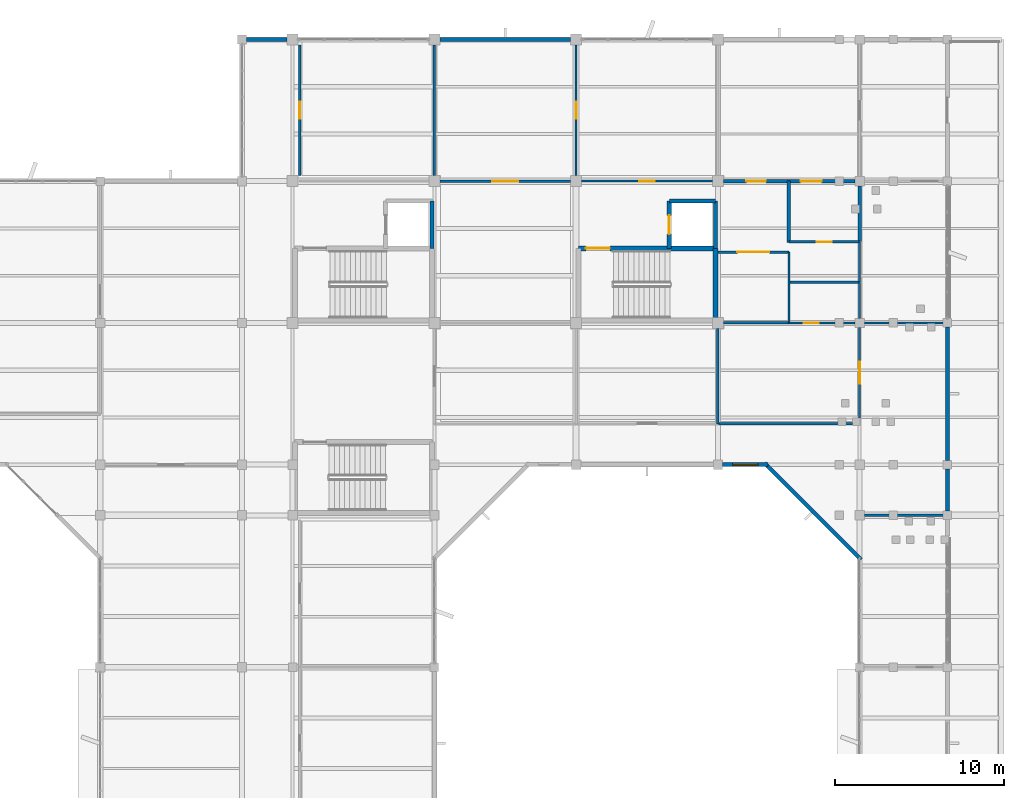
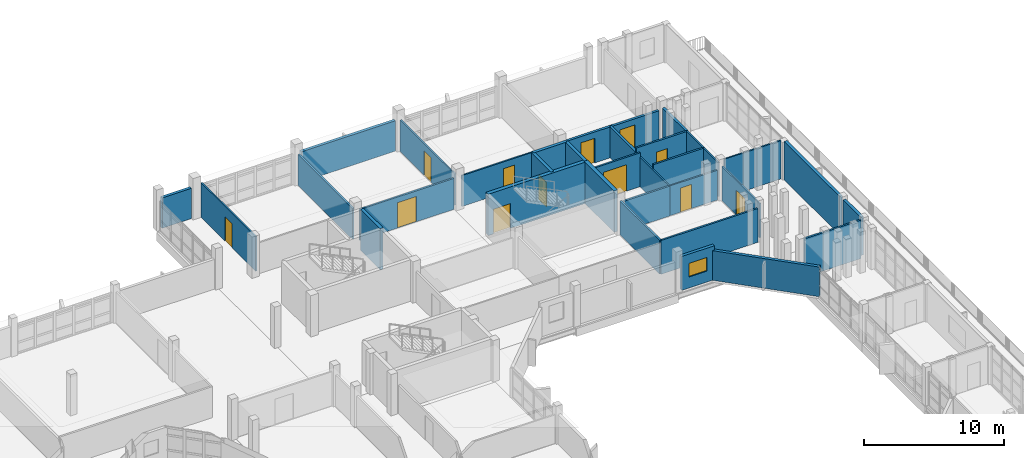
# One storey, part 33 of 51: 34 walls, 12 doors, 1 window, 13 openings.
"""IFC4 building model written with IfcOpenShell, lengths in metres."""

from ifc_helpers import new_model, si_unit, direction, frame, frame_2d, origin, place, context, subcontext, project, spatial, rectangle, extrude, material, layer, layer_set, type_object, element, fill, save


model = new_model("IFC4")

# Units and contexts
model_context = context("Model", 3, precision=1e-05, world=origin(), true_north=direction((0.0, 1.0)))
body_context = subcontext(model_context, "Body", "Model", "MODEL_VIEW")
ifc_project = project(units=[si_unit("LENGTHUNIT", "METRE"), si_unit("AREAUNIT", "SQUARE_METRE"), si_unit("VOLUMEUNIT", "CUBIC_METRE"), si_unit("PLANEANGLEUNIT", "RADIAN"), si_unit("MASSUNIT", "GRAM", prefix="KILO")], contexts=[model_context])

# Site, building, storey
site_placement = place(None, origin())
site = spatial("IfcSite", under=ifc_project, at=site_placement, CompositionType="ELEMENT")
building_placement = place(site_placement, origin())
building = spatial("IfcBuilding", under=site, at=building_placement, Name="Vanh Quang Courtyard School", CompositionType="ELEMENT")
storey_placement = place(building_placement, frame((0.0, 0.0, 11.39990234375)))
storey = spatial("IfcBuildingStorey", under=building, at=storey_placement, Name="L03", CompositionType="ELEMENT", Elevation=11.39990234375)

# Wall, opening, door
ifc_material_1 = material(Name="Concrete C30/37", Category="concrete")
ifc_layer_1 = layer(ifc_material_1, 0.199951171875)
ifc_layer_set_1 = layer_set([ifc_layer_1], Name="Concrete C30/37")
wall_type_1 = type_object("IfcWallType", Name="W-COMP-200", PredefinedType="PARTITIONING", material=ifc_layer_set_1)
wall_1_placement = place(storey_placement, frame((102.923095703125, 88.199951171875, 0.0), z_axis=(0.0, 0.0, 1.0), x_axis=(1.0, 0.0, 0.0)))
wall_1 = element("IfcWall", 1, at=wall_1_placement, inside=storey, type_object=wall_type_1, Name="Wall W-COMP1 (L03)", PredefinedType="PARTITIONING", context=body_context, shape_type="SweptSolid", body=[
    extrude(rectangle(XDim=3.876953125, YDim=0.199951171875, at=frame_2d((1.9384765625, 0.0))), origin(), (0.0, 0.0, 1.0), 2.690185546875),
])
opening_1_placement = place(wall_1_placement, frame((1.363525390625, 0.0, 0.0)))
opening_1 = element("IfcOpeningElement", 2, at=opening_1_placement, cuts=wall_1, Name="Opening L03-D131", PredefinedType="OPENING", context=body_context, shape_type="SweptSolid", body=[
    extrude(rectangle(XDim=1.14990234375, YDim=2.14990234375, at=frame_2d((0.574951171875, 1.074951171875))), frame((0.0, 0.10986328125, 0.0), z_axis=(0.0, -1.0, 0.0), x_axis=(1.0, 0.0, 0.0)), (0.0, 0.0, 1.0), 0.219970703125),
])
ifc_material_2 = material(Name="Painted galvanised steel fire door", Category="steel")
door_type_1 = type_object("IfcDoorType", Name="IDR-LAB-1150x2150", OperationType="NOTDEFINED", PredefinedType="DOOR", material=ifc_material_2)
door_1_placement = place(opening_1_placement, origin())
door_1 = element("IfcDoor", 3, at=door_1_placement, inside=storey, type_object=door_type_1, Name="Door L03-D131 (L03)", OperationType="SINGLE_SWING_RIGHT", OverallHeight=2.14990234375, OverallWidth=1.14990234375, PredefinedType="DOOR", context=body_context, shape_type="SweptSolid", body=[
    extrude(rectangle(XDim=1.14990234375, YDim=2.14990234375, at=frame_2d((0.574951171875, 1.074951171875))), frame((0.0, 0.02490234375, 0.0), z_axis=(0.0, -1.0, 0.0), x_axis=(1.0, 0.0, 0.0)), (0.0, 0.0, 1.0), 0.050048828125),
])
fill(opening_1, door_1)

# Wall
wall_2_placement = place(storey_placement, frame((106.800048828125, 88.199951171875, 0.0), z_axis=(0.0, 0.0, 1.0), x_axis=(0.0, -1.0, 0.0)))
element("IfcWall", 4, at=wall_2_placement, inside=storey, type_object=wall_type_1, Name="Wall W-COMP1 (L03)", PredefinedType="PARTITIONING", context=body_context, shape_type="SweptSolid", body=[
    extrude(rectangle(XDim=3.646240234375, YDim=0.199951171875, at=frame_2d((1.8232421875, 0.0))), origin(), (0.0, 0.0, 1.0), 2.690185546875),
])

# Wall, opening, door
wall_3_placement = place(storey_placement, frame((106.820068359375, 88.199951171875, 0.0), z_axis=(0.0, 0.0, 1.0), x_axis=(1.0, 0.0, 0.0)))
wall_3 = element("IfcWall", 5, at=wall_3_placement, inside=storey, type_object=wall_type_1, Name="Wall W-COMP1 (L03)", PredefinedType="PARTITIONING", context=body_context, shape_type="SweptSolid", body=[
    extrude(rectangle(XDim=3.906982421875, YDim=0.199951171875, at=frame_2d((1.95361328125, 0.0))), origin(), (0.0, 0.0, 1.0), 2.690185546875),
])
opening_2_placement = place(wall_3_placement, frame((0.678466796875, 0.0, 0.0)))
opening_2 = element("IfcOpeningElement", 6, at=opening_2_placement, cuts=wall_3, Name="Opening L03-D132", PredefinedType="OPENING", context=body_context, shape_type="SweptSolid", body=[
    extrude(rectangle(XDim=1.25, YDim=2.14990234375, at=frame_2d((0.625, 1.074951171875))), frame((0.0, 0.10986328125, 0.0), z_axis=(0.0, -1.0, 0.0), x_axis=(1.0, 0.0, 0.0)), (0.0, 0.0, 1.0), 0.219970703125),
])
door_type_2 = type_object("IfcDoorType", Name="IDR-LAB-1250x2150", OperationType="NOTDEFINED", PredefinedType="DOOR", material=ifc_material_2)
door_2_placement = place(opening_2_placement, origin())
door_2 = element("IfcDoor", 7, at=door_2_placement, inside=storey, type_object=door_type_2, Name="Door L03-D132 (L03)", OperationType="SINGLE_SWING_LEFT", OverallHeight=2.14990234375, OverallWidth=1.25, PredefinedType="DOOR", context=body_context, shape_type="SweptSolid", body=[
    extrude(rectangle(XDim=1.25, YDim=2.14990234375, at=frame_2d((0.625, 1.074951171875))), frame((0.0, 0.02490234375, 0.0), z_axis=(0.0, -1.0, 0.0), x_axis=(1.0, 0.0, 0.0)), (0.0, 0.0, 1.0), 0.050048828125),
])
fill(opening_2, door_2)

# Walls
wall_4_placement = place(storey_placement, frame((111.0, 87.927001953125, 0.0), z_axis=(0.0, 0.0, 1.0), x_axis=(0.0, -1.0, 0.0)))
element("IfcWall", 8, at=wall_4_placement, inside=storey, type_object=wall_type_1, Name="Wall W-COMP1 (L03)", PredefinedType="PARTITIONING", context=body_context, shape_type="SweptSolid", body=[
    extrude(rectangle(XDim=3.306884765625, YDim=0.199951171875, at=frame_2d((1.6533203125, 0.0))), origin(), (0.0, 0.0, 1.0), 2.97998046875),
])
ifc_material_3 = material(Name="Concrete C35/45", Category="concrete")
ifc_layer_2 = layer(ifc_material_3, 0.300048828125)
ifc_layer_set_2 = layer_set([ifc_layer_2], Name="Concrete C35/45")
wall_type_2 = type_object("IfcWallType", Name="W-CORE-300", PredefinedType="SHEAR", material=ifc_layer_set_2)
wall_5_placement = place(storey_placement, frame((102.4599609375, 79.93994140625, 0.0), z_axis=(0.0, 0.0, 1.0), x_axis=(0.0, 1.0, 0.0)))
element("IfcWall", 9, at=wall_5_placement, inside=storey, type_object=wall_type_2, Name="Wall W-CORE1 (L03)", PredefinedType="SHEAR", context=body_context, shape_type="SweptSolid", body=[
    extrude(rectangle(XDim=4.280029296875, YDim=0.300048828125, at=frame_2d((2.14013671875, 0.0))), origin(), (0.0, 0.0, 1.0), 3.60009765625),
])

# Wall, opening, door
wall_6_placement = place(storey_placement, frame((102.4599609375, 84.219970703125, 0.0), z_axis=(0.0, 0.0, 1.0), x_axis=(-1.0, 0.0, 0.0)))
wall_6 = element("IfcWall", 10, at=wall_6_placement, inside=storey, type_object=wall_type_2, Name="Wall W-CORE1 (L03)", PredefinedType="SHEAR", context=body_context, shape_type="SweptSolid", body=[
    extrude(rectangle(XDim=8.119873046875, YDim=0.300048828125, at=frame_2d((4.06005859375, 0.0))), origin(), (0.0, 0.0, 1.0), 3.60009765625),
])
opening_3_placement = place(wall_6_placement, frame((6.27001953125, 0.0, 0.0)))
opening_3 = element("IfcOpeningElement", 11, at=opening_3_placement, cuts=wall_6, Name="Opening L03-DS2", PredefinedType="OPENING", context=body_context, shape_type="SweptSolid", body=[
    extrude(rectangle(XDim=1.419921875, YDim=2.14990234375, at=frame_2d((0.7099609375, 1.074951171875))), frame((0.0, 0.16015625, 0.0), z_axis=(0.0, -1.0, 0.0), x_axis=(1.0, 0.0, 0.0)), (0.0, 0.0, 1.0), 0.320068359375),
])
door_type_3 = type_object("IfcDoorType", Name="IDR-ST-1420x2150", OperationType="NOTDEFINED", PredefinedType="DOOR", material=ifc_material_2)
door_3_placement = place(opening_3_placement, frame((1.419921875, 0.0, 0.0), z_axis=(0.0, 0.0, 1.0), x_axis=(-1.0, 0.0, 0.0)))
door_3 = element("IfcDoor", 12, at=door_3_placement, inside=storey, type_object=door_type_3, Name="Door L03-DS2 (L03)", OperationType="SINGLE_SWING_RIGHT", OverallHeight=2.14990234375, OverallWidth=1.419921875, PredefinedType="DOOR", context=body_context, shape_type="SweptSolid", body=[
    extrude(rectangle(XDim=1.419921875, YDim=2.14990234375, at=frame_2d((0.7099609375, 1.074951171875))), frame((0.0, 0.02490234375, 0.0), z_axis=(0.0, -1.0, 0.0), x_axis=(1.0, 0.0, 0.0)), (0.0, 0.0, 1.0), 0.050048828125),
])
fill(opening_3, door_3)

# Walls
ifc_material_4 = material(Name="Precast concrete C40/50", Category="concrete")
ifc_layer_3 = layer(ifc_material_4, 0.239990234375)
ifc_layer_set_3 = layer_set([ifc_layer_3], Name="Precast concrete C40/50")
wall_type_3 = type_object("IfcWallType", Name="W-EXT-240", PredefinedType="SOLIDWALL", material=ifc_layer_set_3)
wall_7_placement = place(storey_placement, frame((74.673095703125, 96.60009765625, 0.0), z_axis=(0.0, 0.0, 1.0), x_axis=(1.0, 0.0, 0.0)))
element("IfcWall", 13, at=wall_7_placement, inside=storey, type_object=wall_type_3, Name="Wall WE-03 (L03)", PredefinedType="SOLIDWALL", context=body_context, shape_type="SweptSolid", body=[
    extrude(rectangle(XDim=2.40380859375, YDim=0.239990234375, at=frame_2d((1.201904296875, 0.0))), origin(), (0.0, 0.0, 1.0), 2.64013671875),
])
wall_8_placement = place(storey_placement, frame((86.123046875, 96.60009765625, 0.0), z_axis=(0.0, 0.0, 1.0), x_axis=(1.0, 0.0, 0.0)))
element("IfcWall", 14, at=wall_8_placement, inside=storey, type_object=wall_type_3, Name="Wall WE-03 (L03)", PredefinedType="SOLIDWALL", context=body_context, shape_type="SweptSolid", body=[
    extrude(rectangle(XDim=7.75390625, YDim=0.239990234375, at=frame_2d((3.876953125, 0.0))), origin(), (0.0, 0.0, 1.0), 2.64013671875),
])
wall_9_placement = place(storey_placement, frame((116.199951171875, 79.552001953125, 0.0), z_axis=(0.0, 0.0, 1.0), x_axis=(0.0, -1.0, 0.0)))
element("IfcWall", 15, at=wall_9_placement, inside=storey, type_object=wall_type_3, Name="Wall WE-03 (L03)", PredefinedType="SOLIDWALL", context=body_context, shape_type="SweptSolid", body=[
    extrude(rectangle(XDim=7.904052734375, YDim=0.239990234375, at=frame_2d((3.9521484375, 0.0))), origin(), (0.0, 0.0, 1.0), 3.340087890625),
])
wall_10_placement = place(storey_placement, frame((116.199951171875, 71.152099609375, 0.0), z_axis=(0.0, 0.0, 1.0), x_axis=(0.0, -1.0, 0.0)))
element("IfcWall", 16, at=wall_10_placement, inside=storey, type_object=wall_type_3, Name="Wall WE-03 (L03)", PredefinedType="SOLIDWALL", context=body_context, shape_type="SweptSolid", body=[
    extrude(rectangle(XDim=2.504150390625, YDim=0.239990234375, at=frame_2d((1.251953125, 0.0))), origin(), (0.0, 0.0, 1.0), 3.340087890625),
])
wall_11_placement = place(storey_placement, frame((111.0849609375, 65.77099609375, 0.0), z_axis=(0.0, 0.0, 1.0), x_axis=(-0.707106781187, 0.707106781187, 0.0)))
element("IfcWall", 17, at=wall_11_placement, inside=storey, type_object=wall_type_3, Name="Wall WE-03 (L03)", PredefinedType="SOLIDWALL", context=body_context, shape_type="SweptSolid", body=[
    extrude(rectangle(XDim=8.08056640625, YDim=0.239990234375, at=frame_2d((4.040283203125, 0.0))), origin(), (0.0, 0.0, 1.0), 2.580078125),
])

# Wall, opening, window
wall_12_placement = place(storey_placement, frame((105.575927734375, 71.39990234375, 0.0), z_axis=(0.0, 0.0, 1.0), x_axis=(-1.0, 0.0, 0.0)))
wall_12 = element("IfcWall", 18, at=wall_12_placement, inside=storey, type_object=wall_type_3, Name="Wall WE-03 (L03)", PredefinedType="SOLIDWALL", context=body_context, shape_type="SweptSolid", body=[
    extrude(rectangle(XDim=2.702880859375, YDim=0.239990234375, at=frame_2d((1.3515625, 0.0))), origin(), (0.0, 0.0, 1.0), 2.9501953125),
])
opening_4_placement = place(wall_12_placement, frame((0.6015625, 0.0, 0.949951171875)))
opening_4 = element("IfcOpeningElement", 19, at=opening_4_placement, cuts=wall_12, Name="Opening WN-02", PredefinedType="OPENING", context=body_context, shape_type="SweptSolid", body=[
    extrude(rectangle(XDim=1.5, YDim=1.199951171875, at=frame_2d((0.75, 0.60009765625))), frame((0.0, 0.1298828125, 0.0), z_axis=(0.0, -1.0, 0.0), x_axis=(1.0, 0.0, 0.0)), (0.0, 0.0, 1.0), 0.260009765625),
])
ifc_material_5 = material(Name="Anodised aluminium and low-E double glazing", Category="aluminium")
window_type = type_object("IfcWindowType", Name="WIN-TYP-02", PartitioningType="SINGLE_PANEL", PredefinedType="WINDOW", material=ifc_material_5)
window_placement = place(opening_4_placement, origin())
window = element("IfcWindow", 20, at=window_placement, inside=storey, type_object=window_type, Name="Window WN-02 (L03)", OverallHeight=1.199951171875, OverallWidth=1.5, PartitioningType="SINGLE_PANEL", PredefinedType="WINDOW", context=body_context, shape_type="SweptSolid", body=[
    extrude(rectangle(XDim=1.5, YDim=1.199951171875, at=frame_2d((0.75, 0.60009765625))), frame((0.0, 0.030029296875, 0.0), z_axis=(0.0, -1.0, 0.0), x_axis=(1.0, 0.0, 0.0)), (0.0, 0.0, 1.0), 0.06005859375),
])
fill(opening_4, window)

# Wall
ifc_material_6 = material(Name="Acoustic gypsum stud partition", Category="gypsum")
ifc_layer_4 = layer(ifc_material_6, 0.1201171875)
ifc_layer_set_4 = layer_set([ifc_layer_4], Name="Acoustic gypsum stud partition")
wall_type_4 = type_object("IfcWallType", Name="W-PART-120", PredefinedType="PARTITIONING", material=ifc_layer_set_4)
wall_13_placement = place(storey_placement, frame((106.800048828125, 84.0, 0.0), z_axis=(0.0, 0.0, 1.0), x_axis=(0.0, -1.0, 0.0)))
element("IfcWall", 21, at=wall_13_placement, inside=storey, type_object=wall_type_4, Name="Wall W-PRT2 (L03)", PredefinedType="PARTITIONING", context=body_context, shape_type="SweptSolid", body=[
    extrude(rectangle(XDim=4.199951171875, YDim=0.1201171875, at=frame_2d((2.10009765625, 0.0))), origin(), (0.0, 0.0, 1.0), 2.590087890625),
])

# Wall, opening, door
wall_14_placement = place(storey_placement, frame((110.72705078125, 79.800048828125, 0.0), z_axis=(0.0, 0.0, 1.0), x_axis=(-1.0, 0.0, 0.0)))
wall_14 = element("IfcWall", 22, at=wall_14_placement, inside=storey, type_object=wall_type_4, Name="Wall W-PRT2 (L03)", PredefinedType="PARTITIONING", context=body_context, shape_type="SweptSolid", body=[
    extrude(rectangle(XDim=3.906982421875, YDim=0.1201171875, at=frame_2d((1.95361328125, 0.0))), origin(), (0.0, 0.0, 1.0), 2.590087890625),
])
opening_5_placement = place(wall_14_placement, frame((2.153564453125, 0.0, 0.0)))
opening_5 = element("IfcOpeningElement", 23, at=opening_5_placement, cuts=wall_14, Name="Opening L03-D129", PredefinedType="OPENING", context=body_context, shape_type="SweptSolid", body=[
    extrude(rectangle(XDim=0.89990234375, YDim=2.10009765625, at=frame_2d((0.449951171875, 1.050048828125))), frame((0.0, 0.070068359375, 0.0), z_axis=(0.0, -1.0, 0.0), x_axis=(1.0, 0.0, 0.0)), (0.0, 0.0, 1.0), 0.14013671875),
])
ifc_material_7 = material(Name="Solid-core hardwood acoustic door", Category="wood")
door_type_4 = type_object("IfcDoorType", Name="IDR-WC-0900x2100", OperationType="NOTDEFINED", PredefinedType="DOOR", material=ifc_material_7)
door_4_placement = place(opening_5_placement, origin())
door_4 = element("IfcDoor", 24, at=door_4_placement, inside=storey, type_object=door_type_4, Name="Door L03-D129 (L03)", OperationType="SINGLE_SWING_RIGHT", OverallHeight=2.10009765625, OverallWidth=0.89990234375, PredefinedType="DOOR", context=body_context, shape_type="SweptSolid", body=[
    extrude(rectangle(XDim=0.89990234375, YDim=2.10009765625, at=frame_2d((0.449951171875, 1.050048828125))), frame((0.0, 0.02490234375, 0.0), z_axis=(0.0, -1.0, 0.0), x_axis=(1.0, 0.0, 0.0)), (0.0, 0.0, 1.0), 0.050048828125),
])
fill(opening_5, door_4)

# Walls
wall_15_placement = place(storey_placement, frame((111.0, 82.199951171875, 0.0), z_axis=(0.0, 0.0, 1.0), x_axis=(0.0, -1.0, 0.0)))
element("IfcWall", 25, at=wall_15_placement, inside=storey, type_object=wall_type_4, Name="Wall W-PRT2 (L03)", PredefinedType="PARTITIONING", context=body_context, shape_type="SweptSolid", body=[
    extrude(rectangle(XDim=2.126953125, YDim=0.1201171875, at=frame_2d((1.0634765625, 0.0))), origin(), (0.0, 0.0, 1.0), 2.97998046875),
])
wall_16_placement = place(storey_placement, frame((111.0, 84.60009765625, 0.0), z_axis=(0.0, 0.0, 1.0), x_axis=(0.0, -1.0, 0.0)))
element("IfcWall", 26, at=wall_16_placement, inside=storey, type_object=wall_type_4, Name="Wall W-PRT2 (L03)", PredefinedType="PARTITIONING", context=body_context, shape_type="SweptSolid", body=[
    extrude(rectangle(XDim=2.380126953125, YDim=0.1201171875, at=frame_2d((1.18994140625, 0.0))), origin(), (0.0, 0.0, 1.0), 2.97998046875),
])

# Wall, opening, door
wall_17_placement = place(storey_placement, frame((77.820068359375, 88.52294921875, 0.0), z_axis=(0.0, 0.0, 1.0), x_axis=(0.0, 1.0, 0.0)))
wall_17 = element("IfcWall", 27, at=wall_17_placement, inside=storey, type_object=wall_type_4, Name="Wall W-PRT2 (L03)", PredefinedType="PARTITIONING", context=body_context, shape_type="SweptSolid", body=[
    extrude(rectangle(XDim=7.754150390625, YDim=0.1201171875, at=frame_2d((3.876953125, 0.0))), origin(), (0.0, 0.0, 1.0), 3.010009765625),
])
opening_6_placement = place(wall_17_placement, frame((3.376953125, 0.0, 0.0)))
opening_6 = element("IfcOpeningElement", 28, at=opening_6_placement, cuts=wall_17, Name="Opening L03-D142", PredefinedType="OPENING", context=body_context, shape_type="SweptSolid", body=[
    extrude(rectangle(XDim=1.0, YDim=2.10009765625, at=frame_2d((0.5, 1.050048828125))), frame((0.0, 0.070068359375, 0.0), z_axis=(0.0, -1.0, 0.0), x_axis=(1.0, 0.0, 0.0)), (0.0, 0.0, 1.0), 0.14013671875),
])
door_type_5 = type_object("IfcDoorType", Name="IDR-CLS-1000x2100", OperationType="NOTDEFINED", PredefinedType="DOOR", material=ifc_material_7)
door_5_placement = place(opening_6_placement, origin())
door_5 = element("IfcDoor", 29, at=door_5_placement, inside=storey, type_object=door_type_5, Name="Door L03-D142 (L03)", OperationType="SINGLE_SWING_LEFT", OverallHeight=2.10009765625, OverallWidth=1.0, PredefinedType="DOOR", context=body_context, shape_type="SweptSolid", body=[
    extrude(rectangle(XDim=1.0, YDim=2.10009765625, at=frame_2d((0.5, 1.050048828125))), frame((0.0, 0.02490234375, 0.0), z_axis=(0.0, -1.0, 0.0), x_axis=(1.0, 0.0, 0.0)), (0.0, 0.0, 1.0), 0.050048828125),
])
fill(opening_6, door_5)

wall_18_placement = place(storey_placement, frame((94.199951171875, 96.277099609375, 0.0), z_axis=(0.0, 0.0, 1.0), x_axis=(0.0, -1.0, 0.0)))
wall_18 = element("IfcWall", 30, at=wall_18_placement, inside=storey, type_object=wall_type_4, Name="Wall W-PRT2 (L03)", PredefinedType="PARTITIONING", context=body_context, shape_type="SweptSolid", body=[
    extrude(rectangle(XDim=7.754150390625, YDim=0.1201171875, at=frame_2d((3.876953125, 0.0))), origin(), (0.0, 0.0, 1.0), 2.739990234375),
])
opening_7_placement = place(wall_18_placement, frame((3.376953125, 0.0, 0.0)))
opening_7 = element("IfcOpeningElement", 31, at=opening_7_placement, cuts=wall_18, Name="Opening L03-D146", PredefinedType="OPENING", context=body_context, shape_type="SweptSolid", body=[
    extrude(rectangle(XDim=1.0, YDim=2.10009765625, at=frame_2d((0.5, 1.050048828125))), frame((0.0, 0.070068359375, 0.0), z_axis=(0.0, -1.0, 0.0), x_axis=(1.0, 0.0, 0.0)), (0.0, 0.0, 1.0), 0.14013671875),
])
door_6_placement = place(opening_7_placement, origin())
door_6 = element("IfcDoor", 32, at=door_6_placement, inside=storey, type_object=door_type_5, Name="Door L03-D146 (L03)", OperationType="SINGLE_SWING_LEFT", OverallHeight=2.10009765625, OverallWidth=1.0, PredefinedType="DOOR", context=body_context, shape_type="SweptSolid", body=[
    extrude(rectangle(XDim=1.0, YDim=2.10009765625, at=frame_2d((0.5, 1.050048828125))), frame((0.0, 0.02490234375, 0.0), z_axis=(0.0, -1.0, 0.0), x_axis=(1.0, 0.0, 0.0)), (0.0, 0.0, 1.0), 0.050048828125),
])
fill(opening_7, door_6)

wall_19_placement = place(storey_placement, frame((102.277099609375, 88.199951171875, 0.0), z_axis=(0.0, 0.0, 1.0), x_axis=(-1.0, 0.0, 0.0)))
wall_19 = element("IfcWall", 33, at=wall_19_placement, inside=storey, type_object=wall_type_4, Name="Wall W-PRT2 (L03)", PredefinedType="PARTITIONING", context=body_context, shape_type="SweptSolid", body=[
    extrude(rectangle(XDim=7.754150390625, YDim=0.1201171875, at=frame_2d((3.876953125, 0.0))), origin(), (0.0, 0.0, 1.0), 2.690185546875),
])
opening_8_placement = place(wall_19_placement, frame((3.4169921875, 0.0, 0.0)))
opening_8 = element("IfcOpeningElement", 34, at=opening_8_placement, cuts=wall_19, Name="Opening L03-D149", PredefinedType="OPENING", context=body_context, shape_type="SweptSolid", body=[
    extrude(rectangle(XDim=0.919921875, YDim=2.10009765625, at=frame_2d((0.4599609375, 1.050048828125))), frame((0.0, 0.070068359375, 0.0), z_axis=(0.0, -1.0, 0.0), x_axis=(1.0, 0.0, 0.0)), (0.0, 0.0, 1.0), 0.14013671875),
])
door_type_6 = type_object("IfcDoorType", Name="IDR-STF-0920x2100", OperationType="NOTDEFINED", PredefinedType="DOOR", material=ifc_material_7)
door_7_placement = place(opening_8_placement, origin())
door_7 = element("IfcDoor", 35, at=door_7_placement, inside=storey, type_object=door_type_6, Name="Door L03-D149 (L03)", OperationType="SINGLE_SWING_RIGHT", OverallHeight=2.10009765625, OverallWidth=0.919921875, PredefinedType="DOOR", context=body_context, shape_type="SweptSolid", body=[
    extrude(rectangle(XDim=0.919921875, YDim=2.10009765625, at=frame_2d((0.4599609375, 1.050048828125))), frame((0.0, 0.02490234375, 0.0), z_axis=(0.0, -1.0, 0.0), x_axis=(1.0, 0.0, 0.0)), (0.0, 0.0, 1.0), 0.050048828125),
])
fill(opening_8, door_7)

wall_20_placement = place(storey_placement, frame((111.0, 79.527099609375, 0.0), z_axis=(0.0, 0.0, 1.0), x_axis=(0.0, -1.0, 0.0)))
wall_20 = element("IfcWall", 36, at=wall_20_placement, inside=storey, type_object=wall_type_4, Name="Wall W-PRT2 (L03)", PredefinedType="PARTITIONING", context=body_context, shape_type="SweptSolid", body=[
    extrude(rectangle(XDim=5.35400390625, YDim=0.1201171875, at=frame_2d((2.677001953125, 0.0))), origin(), (0.0, 0.0, 1.0), 2.97998046875),
])
opening_9_placement = place(wall_20_placement, frame((2.027099609375, 0.0, 0.0)))
opening_9 = element("IfcOpeningElement", 37, at=opening_9_placement, cuts=wall_20, Name="Opening L03-D151", PredefinedType="OPENING", context=body_context, shape_type="SweptSolid", body=[
    extrude(rectangle(XDim=1.300048828125, YDim=2.14990234375, at=frame_2d((0.64990234375, 1.074951171875))), frame((0.0, 0.070068359375, 0.0), z_axis=(0.0, -1.0, 0.0), x_axis=(1.0, 0.0, 0.0)), (0.0, 0.0, 1.0), 0.14013671875),
])
door_type_7 = type_object("IfcDoorType", Name="IDR-STU-1300x2150", OperationType="NOTDEFINED", PredefinedType="DOOR", material=ifc_material_7)
door_8_placement = place(opening_9_placement, origin())
door_8 = element("IfcDoor", 38, at=door_8_placement, inside=storey, type_object=door_type_7, Name="Door L03-D151 (L03)", OperationType="SINGLE_SWING_RIGHT", OverallHeight=2.14990234375, OverallWidth=1.300048828125, PredefinedType="DOOR", context=body_context, shape_type="SweptSolid", body=[
    extrude(rectangle(XDim=1.300048828125, YDim=2.14990234375, at=frame_2d((0.64990234375, 1.074951171875))), frame((0.0, 0.02490234375, 0.0), z_axis=(0.0, -1.0, 0.0), x_axis=(1.0, 0.0, 0.0)), (0.0, 0.0, 1.0), 0.050048828125),
])
fill(opening_9, door_8)

# Wall
wall_21_placement = place(storey_placement, frame((115.951904296875, 79.800048828125, 0.0), z_axis=(0.0, 0.0, 1.0), x_axis=(-1.0, 0.0, 0.0)))
element("IfcWall", 39, at=wall_21_placement, inside=storey, type_object=wall_type_4, Name="Wall W-PRT2 (L03)", PredefinedType="PARTITIONING", context=body_context, shape_type="SweptSolid", body=[
    extrude(rectangle(XDim=4.678955078125, YDim=0.1201171875, at=frame_2d((2.33935546875, 0.0))), origin(), (0.0, 0.0, 1.0), 3.340087890625),
])

# Wall, opening, door
ifc_material_8 = material(Name="Autoclaved aerated masonry blockwork", Category="masonry")
ifc_layer_5 = layer(ifc_material_8, 0.14990234375)
ifc_layer_set_5 = layer_set([ifc_layer_5], Name="Autoclaved aerated masonry blockwork")
wall_type_5 = type_object("IfcWallType", Name="W-PART-150", PredefinedType="PARTITIONING", material=ifc_layer_set_5)
wall_22_placement = place(storey_placement, frame((102.60009765625, 84.0, 0.0), z_axis=(0.0, 0.0, 1.0), x_axis=(1.0, 0.0, 0.0)))
wall_22 = element("IfcWall", 40, at=wall_22_placement, inside=storey, type_object=wall_type_5, Name="Wall W-PRT1 (L03)", PredefinedType="PARTITIONING", context=body_context, shape_type="SweptSolid", body=[
    extrude(rectangle(XDim=4.199951171875, YDim=0.14990234375, at=frame_2d((2.10009765625, 0.0))), origin(), (0.0, 0.0, 1.0), 2.940185546875),
])
opening_10_placement = place(wall_22_placement, frame((1.14990234375, 0.0, 0.0)))
opening_10 = element("IfcOpeningElement", 41, at=opening_10_placement, cuts=wall_22, Name="Opening L03-D128", PredefinedType="OPENING", context=body_context, shape_type="SweptSolid", body=[
    extrude(rectangle(XDim=1.89990234375, YDim=2.300048828125, at=frame_2d((0.949951171875, 1.14990234375))), frame((0.0, 0.0849609375, 0.0), z_axis=(0.0, -1.0, 0.0), x_axis=(1.0, 0.0, 0.0)), (0.0, 0.0, 1.0), 0.169921875),
])
door_type_8 = type_object("IfcDoorType", Name="IDR-HAL-1900x2300", OperationType="NOTDEFINED", PredefinedType="DOOR", material=ifc_material_2)
door_9_placement = place(opening_10_placement, origin())
door_9 = element("IfcDoor", 42, at=door_9_placement, inside=storey, type_object=door_type_8, Name="Door L03-D128 (L03)", OperationType="DOUBLE_DOOR_SINGLE_SWING", OverallHeight=2.300048828125, OverallWidth=1.89990234375, PredefinedType="DOOR", context=body_context, shape_type="SweptSolid", body=[
    extrude(rectangle(XDim=1.89990234375, YDim=2.300048828125, at=frame_2d((0.949951171875, 1.14990234375))), frame((0.0, 0.02490234375, 0.0), z_axis=(0.0, -1.0, 0.0), x_axis=(1.0, 0.0, 0.0)), (0.0, 0.0, 1.0), 0.050048828125),
])
fill(opening_10, door_9)

# Walls
wall_23_placement = place(storey_placement, frame((106.800048828125, 79.800048828125, 0.0), z_axis=(0.0, 0.0, 1.0), x_axis=(-1.0, 0.0, 0.0)))
element("IfcWall", 43, at=wall_23_placement, inside=storey, type_object=wall_type_5, Name="Wall W-PRT1 (L03)", PredefinedType="PARTITIONING", context=body_context, shape_type="SweptSolid", body=[
    extrude(rectangle(XDim=3.876953125, YDim=0.14990234375, at=frame_2d((1.9384765625, 0.0))), origin(), (0.0, 0.0, 1.0), 2.590087890625),
])
wall_24_placement = place(storey_placement, frame((106.820068359375, 82.199951171875, 0.0), z_axis=(0.0, 0.0, 1.0), x_axis=(1.0, 0.0, 0.0)))
element("IfcWall", 44, at=wall_24_placement, inside=storey, type_object=wall_type_5, Name="Wall W-PRT1 (L03)", PredefinedType="PARTITIONING", context=body_context, shape_type="SweptSolid", body=[
    extrude(rectangle(XDim=4.179931640625, YDim=0.14990234375, at=frame_2d((2.08984375, 0.0))), origin(), (0.0, 0.0, 1.0), 2.97998046875),
])

# Wall, opening, door
wall_25_placement = place(storey_placement, frame((106.800048828125, 84.60009765625, 0.0), z_axis=(0.0, 0.0, 1.0), x_axis=(1.0, 0.0, 0.0)))
wall_25 = element("IfcWall", 45, at=wall_25_placement, inside=storey, type_object=wall_type_5, Name="Wall W-PRT1 (L03)", PredefinedType="PARTITIONING", context=body_context, shape_type="SweptSolid", body=[
    extrude(rectangle(XDim=4.199951171875, YDim=0.14990234375, at=frame_2d((2.10009765625, 0.0))), origin(), (0.0, 0.0, 1.0), 2.97998046875),
])
opening_11_placement = place(wall_25_placement, frame((1.64990234375, 0.0, 0.0)))
opening_11 = element("IfcOpeningElement", 46, at=opening_11_placement, cuts=wall_25, Name="Opening L03-D130", PredefinedType="OPENING", context=body_context, shape_type="SweptSolid", body=[
    extrude(rectangle(XDim=0.89990234375, YDim=2.050048828125, at=frame_2d((0.449951171875, 1.02490234375))), frame((0.0, 0.0849609375, 0.0), z_axis=(0.0, -1.0, 0.0), x_axis=(1.0, 0.0, 0.0)), (0.0, 0.0, 1.0), 0.169921875),
])
door_type_9 = type_object("IfcDoorType", Name="IDR-RS-0900x2050", OperationType="NOTDEFINED", PredefinedType="DOOR", material=ifc_material_2)
door_10_placement = place(opening_11_placement, origin())
door_10 = element("IfcDoor", 47, at=door_10_placement, inside=storey, type_object=door_type_9, Name="Door L03-D130 (L03)", OperationType="SINGLE_SWING_LEFT", OverallHeight=2.050048828125, OverallWidth=0.89990234375, PredefinedType="DOOR", context=body_context, shape_type="SweptSolid", body=[
    extrude(rectangle(XDim=0.89990234375, YDim=2.050048828125, at=frame_2d((0.449951171875, 1.02490234375))), frame((0.0, 0.02490234375, 0.0), z_axis=(0.0, -1.0, 0.0), x_axis=(1.0, 0.0, 0.0)), (0.0, 0.0, 1.0), 0.050048828125),
])
fill(opening_11, door_10)

# Wall
wall_26_placement = place(storey_placement, frame((85.800048828125, 96.277099609375, 0.0), z_axis=(0.0, 0.0, 1.0), x_axis=(0.0, -1.0, 0.0)))
element("IfcWall", 48, at=wall_26_placement, inside=storey, type_object=wall_type_5, Name="Wall W-PRT1 (L03)", PredefinedType="PARTITIONING", context=body_context, shape_type="SweptSolid", body=[
    extrude(rectangle(XDim=7.754150390625, YDim=0.14990234375, at=frame_2d((3.876953125, 0.0))), origin(), (0.0, 0.0, 1.0), 2.690185546875),
])

# Wall, opening, door
wall_27_placement = place(storey_placement, frame((86.123046875, 88.199951171875, 0.0), z_axis=(0.0, 0.0, 1.0), x_axis=(1.0, 0.0, 0.0)))
wall_27 = element("IfcWall", 49, at=wall_27_placement, inside=storey, type_object=wall_type_5, Name="Wall W-PRT1 (L03)", PredefinedType="PARTITIONING", context=body_context, shape_type="SweptSolid", body=[
    extrude(rectangle(XDim=7.75390625, YDim=0.14990234375, at=frame_2d((3.876953125, 0.0))), origin(), (0.0, 0.0, 1.0), 2.690185546875),
])
opening_12_placement = place(wall_27_placement, frame((3.10205078125, 0.0, 0.0)))
opening_12 = element("IfcOpeningElement", 50, at=opening_12_placement, cuts=wall_27, Name="Opening L03-D145", PredefinedType="OPENING", context=body_context, shape_type="SweptSolid", body=[
    extrude(rectangle(XDim=1.550048828125, YDim=2.199951171875, at=frame_2d((0.77490234375, 1.10009765625))), frame((0.0, 0.0849609375, 0.0), z_axis=(0.0, -1.0, 0.0), x_axis=(1.0, 0.0, 0.0)), (0.0, 0.0, 1.0), 0.169921875),
])
door_type_10 = type_object("IfcDoorType", Name="IDR-KIT-1550x2200", OperationType="NOTDEFINED", PredefinedType="DOOR", material=ifc_material_2)
door_11_placement = place(opening_12_placement, origin())
door_11 = element("IfcDoor", 51, at=door_11_placement, inside=storey, type_object=door_type_10, Name="Door L03-D145 (L03)", OperationType="DOUBLE_DOOR_SINGLE_SWING", OverallHeight=2.199951171875, OverallWidth=1.550048828125, PredefinedType="DOOR", context=body_context, shape_type="SweptSolid", body=[
    extrude(rectangle(XDim=1.550048828125, YDim=2.199951171875, at=frame_2d((0.77490234375, 1.10009765625))), frame((0.0, 0.02490234375, 0.0), z_axis=(0.0, -1.0, 0.0), x_axis=(1.0, 0.0, 0.0)), (0.0, 0.0, 1.0), 0.050048828125),
])
fill(opening_12, door_11)

# Walls
wall_28_placement = place(storey_placement, frame((102.60009765625, 79.47705078125, 0.0), z_axis=(0.0, 0.0, 1.0), x_axis=(0.0, -1.0, 0.0)))
element("IfcWall", 52, at=wall_28_placement, inside=storey, type_object=wall_type_5, Name="Wall W-PRT1 (L03)", PredefinedType="PARTITIONING", context=body_context, shape_type="SweptSolid", body=[
    extrude(rectangle(XDim=5.656982421875, YDim=0.14990234375, at=frame_2d((2.82861328125, 0.0))), origin(), (0.0, 0.0, 1.0), 2.940185546875),
])
wall_29_placement = place(storey_placement, frame((110.576904296875, 73.820068359375, 0.0), z_axis=(0.0, 0.0, 1.0), x_axis=(-1.0, 0.0, 0.0)))
element("IfcWall", 53, at=wall_29_placement, inside=storey, type_object=wall_type_5, Name="Wall W-PRT1 (L03)", PredefinedType="PARTITIONING", context=body_context, shape_type="SweptSolid", body=[
    extrude(rectangle(XDim=7.956787109375, YDim=0.14990234375, at=frame_2d((3.978515625, 0.0))), origin(), (0.0, 0.0, 1.0), 2.940185546875),
])
wall_30_placement = place(storey_placement, frame((111.27294921875, 68.39990234375, 0.0), z_axis=(0.0, 0.0, 1.0), x_axis=(1.0, 0.0, 0.0)))
element("IfcWall", 54, at=wall_30_placement, inside=storey, type_object=wall_type_5, Name="Wall W-PRT1 (L03)", PredefinedType="PARTITIONING", context=body_context, shape_type="SweptSolid", body=[
    extrude(rectangle(XDim=4.678955078125, YDim=0.14990234375, at=frame_2d((2.33935546875, 0.0))), origin(), (0.0, 0.0, 1.0), 3.340087890625),
])
ifc_layer_6 = layer(ifc_material_3, 0.25)
ifc_layer_set_6 = layer_set([ifc_layer_6], Name="Concrete C35/45")
wall_type_6 = type_object("IfcWallType", Name="W-SHFT-250", PredefinedType="SHEAR", material=ifc_layer_set_6)
wall_31_placement = place(storey_placement, frame((85.659912109375, 84.219970703125, 0.0), z_axis=(0.0, 0.0, 1.0), x_axis=(0.0, 1.0, 0.0)))
element("IfcWall", 55, at=wall_31_placement, inside=storey, type_object=wall_type_6, Name="Wall W-SHFT1 (L03)", PredefinedType="SHEAR", context=body_context, shape_type="SweptSolid", body=[
    extrude(rectangle(XDim=2.800048828125, YDim=0.25, at=frame_2d((1.39990234375, 0.0))), origin(), (0.0, 0.0, 1.0), 3.60009765625),
])

# Wall, opening, door
wall_32_placement = place(storey_placement, frame((99.719970703125, 87.02001953125, 0.0), z_axis=(0.0, 0.0, 1.0), x_axis=(0.0, -1.0, 0.0)))
wall_32 = element("IfcWall", 56, at=wall_32_placement, inside=storey, type_object=wall_type_6, Name="Wall W-SHFT1 (L03)", PredefinedType="SHEAR", context=body_context, shape_type="SweptSolid", body=[
    extrude(rectangle(XDim=2.800048828125, YDim=0.25, at=frame_2d((1.39990234375, 0.0))), origin(), (0.0, 0.0, 1.0), 3.60009765625),
])
opening_13_placement = place(wall_32_placement, frame((0.85009765625, 0.0, 0.0)))
opening_13 = element("IfcOpeningElement", 57, at=opening_13_placement, cuts=wall_32, Name="Opening LD-02-L03", PredefinedType="OPENING", context=body_context, shape_type="SweptSolid", body=[
    extrude(rectangle(XDim=1.10009765625, YDim=2.14990234375, at=frame_2d((0.550048828125, 1.074951171875))), frame((0.0, 0.135009765625, 0.0), z_axis=(0.0, -1.0, 0.0), x_axis=(1.0, 0.0, 0.0)), (0.0, 0.0, 1.0), 0.27001953125),
])
door_type_11 = type_object("IfcDoorType", Name="IDR-LD-1100x2150", OperationType="NOTDEFINED", PredefinedType="DOOR", material=ifc_material_2)
door_12_placement = place(opening_13_placement, origin())
door_12 = element("IfcDoor", 58, at=door_12_placement, inside=storey, type_object=door_type_11, Name="Door LD-02-L03 (L03)", OperationType="DOUBLE_DOOR_SLIDING", OverallHeight=2.14990234375, OverallWidth=1.10009765625, PredefinedType="DOOR", context=body_context, shape_type="SweptSolid", body=[
    extrude(rectangle(XDim=1.10009765625, YDim=2.14990234375, at=frame_2d((0.550048828125, 1.074951171875))), frame((0.0, 0.02490234375, 0.0), z_axis=(0.0, -1.0, 0.0), x_axis=(1.0, 0.0, 0.0)), (0.0, 0.0, 1.0), 0.050048828125),
])
fill(opening_13, door_12)

# Walls
wall_33_placement = place(storey_placement, frame((102.4599609375, 87.02001953125, 0.0), z_axis=(0.0, 0.0, 1.0), x_axis=(-1.0, 0.0, 0.0)))
element("IfcWall", 59, at=wall_33_placement, inside=storey, type_object=wall_type_6, Name="Wall W-SHFT1 (L03)", PredefinedType="SHEAR", context=body_context, shape_type="SweptSolid", body=[
    extrude(rectangle(XDim=2.739990234375, YDim=0.25, at=frame_2d((1.3701171875, 0.0))), origin(), (0.0, 0.0, 1.0), 3.60009765625),
])
wall_34_placement = place(storey_placement, frame((102.4599609375, 84.219970703125, 0.0), z_axis=(0.0, 0.0, 1.0), x_axis=(0.0, 1.0, 0.0)))
element("IfcWall", 60, at=wall_34_placement, inside=storey, type_object=wall_type_6, Name="Wall W-SHFT1 (L03)", PredefinedType="SHEAR", context=body_context, shape_type="SweptSolid", body=[
    extrude(rectangle(XDim=2.800048828125, YDim=0.25, at=frame_2d((1.39990234375, 0.0))), origin(), (0.0, 0.0, 1.0), 3.60009765625),
])

save(model, "model.ifc")
